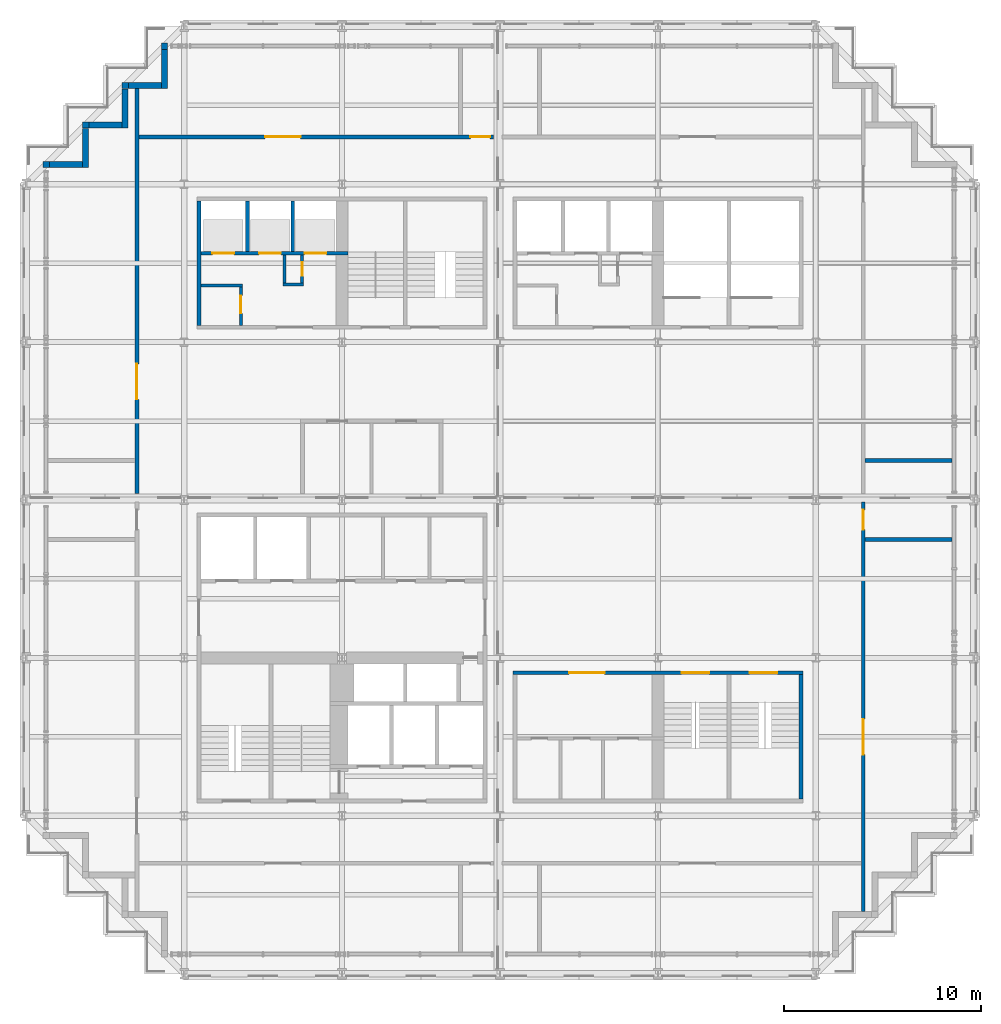
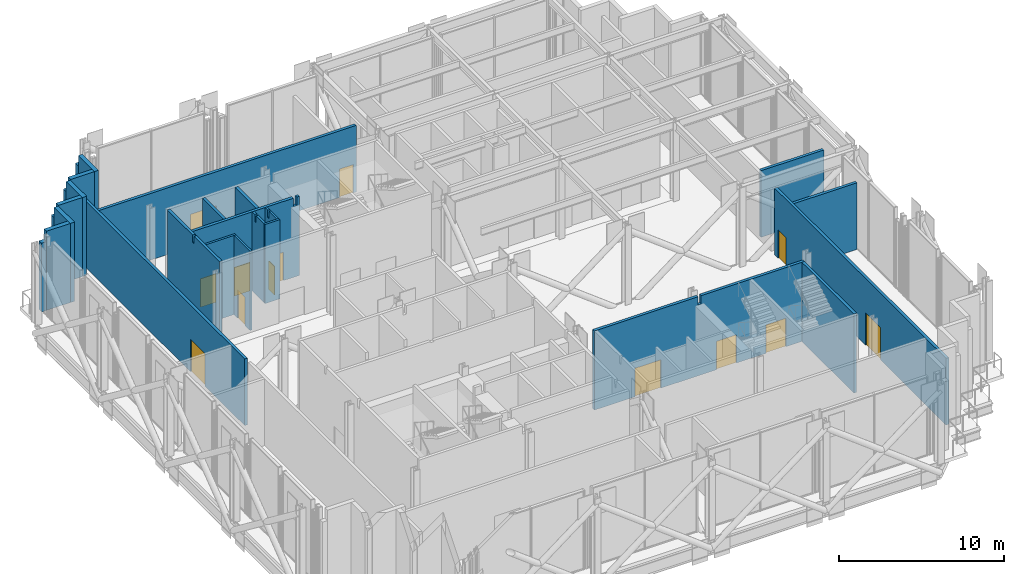
# One storey, part 19 of 25: 26 walls, 13 doors, 13 openings.
"""IFC4 building model written with IfcOpenShell, lengths in metres."""

from ifc_helpers import new_model, si_unit, direction, frame, frame_2d, origin, place, context, subcontext, project, spatial, polyline, rectangle, outline, extrude, material, layer, layer_set, type_object, element, fill, save


model = new_model("IFC4")

# Units and contexts
model_context = context("Model", 3, precision=1e-05, world=origin(), true_north=direction((0.0, 1.0)))
body_context = subcontext(model_context, "Body", "Model", "MODEL_VIEW")
ifc_project = project(units=[si_unit("LENGTHUNIT", "METRE"), si_unit("AREAUNIT", "SQUARE_METRE"), si_unit("VOLUMEUNIT", "CUBIC_METRE"), si_unit("PLANEANGLEUNIT", "RADIAN"), si_unit("MASSUNIT", "GRAM", prefix="KILO")], contexts=[model_context])

# Site, building, storey
site_placement = place(None, origin())
site = spatial("IfcSite", under=ifc_project, at=site_placement, CompositionType="ELEMENT")
building_placement = place(site_placement, origin())
building = spatial("IfcBuilding", under=site, at=building_placement, Name="Immortelle Media Tower", CompositionType="ELEMENT")
storey_placement = place(building_placement, frame((0.0, 0.0, 114.0)))
storey = spatial("IfcBuildingStorey", under=building, at=storey_placement, Name="L22", CompositionType="ELEMENT", Elevation=114.0)

# Wall
ifc_material_1 = material(Name="Fire-rated gypsum board", Category="gypsum")
ifc_layer_1 = layer(ifc_material_1, 0.02490234375)
ifc_material_2 = material(Name="Steel ASTM A653 SS Gr 50 stud frame with mineral wool", Category="steel")
ifc_layer_2 = layer(ifc_material_2, 0.10009765625)
ifc_layer_3 = layer(ifc_material_1, 0.02490234375)
ifc_layer_set_1 = layer_set([ifc_layer_1, ifc_layer_2, ifc_layer_3], Name="Steel ASTM A653 SS Gr 50 stud frame with mineral wool")
wall_type_1 = type_object("IfcWallType", Name="Core partition 150", PredefinedType="PARTITIONING", material=ifc_layer_set_1)
wall_1_placement = place(storey_placement, frame((8.85009765625, 34.875, 0.0), z_axis=(0.0, 0.0, 1.0), x_axis=(1.0, 0.0, 0.0)))
element("IfcWall", 1, at=wall_1_placement, inside=storey, type_object=wall_type_1, Name="Core partition NW", PredefinedType="PARTITIONING", context=body_context, shape_type="SweptSolid", body=[
    extrude(rectangle(XDim=2.099853515625, YDim=0.14990234375, at=frame_2d((1.0498046875, 0.0))), origin(), (0.0, 0.0, 1.0), 5.85009765625),
])

# Wall, opening, door
wall_2_placement = place(storey_placement, frame((10.875, 32.85009765625, 0.0), z_axis=(0.0, 0.0, 1.0), x_axis=(0.0, 1.0, 0.0)))
wall_2 = element("IfcWall", 2, at=wall_2_placement, inside=storey, type_object=wall_type_1, Name="Core partition NW", PredefinedType="PARTITIONING", context=body_context, shape_type="SweptSolid", body=[
    extrude(rectangle(XDim=1.949951171875, YDim=0.14990234375, at=frame_2d((0.97509765625, 0.0))), origin(), (0.0, 0.0, 1.0), 5.85009765625),
])
opening_1_placement = place(wall_2_placement, frame((0.60009765625, 0.0, 0.0)))
opening_1 = element("IfcOpeningElement", 3, at=opening_1_placement, cuts=wall_2, Name="Opening L22-K023", PredefinedType="OPENING", context=body_context, shape_type="SweptSolid", body=[
    extrude(rectangle(XDim=0.89990234375, YDim=2.10009765625, at=frame_2d((0.449951171875, 1.050048828125))), frame((0.0, 0.0849609375, 0.0), z_axis=(0.0, -1.0, 0.0), x_axis=(1.0, 0.0, 0.0)), (0.0, 0.0, 1.0), 0.169921875),
])
ifc_material_3 = material(Name="Galvanised steel door leaf and frame ASTM A653", Category="steel")
door_type_1 = type_object("IfcDoorType", Name="Service door 900 x 2100", OperationType="NOTDEFINED", PredefinedType="NOTDEFINED", material=ifc_material_3)
door_1_placement = place(opening_1_placement, origin())
door_1 = element("IfcDoor", 4, at=door_1_placement, inside=storey, type_object=door_type_1, Name="Service L22-K023", OperationType="SINGLE_SWING_RIGHT", OverallHeight=2.10009765625, OverallWidth=0.89990234375, PredefinedType="NOTDEFINED", context=body_context, shape_type="SweptSolid", body=[
    extrude(rectangle(XDim=0.89990234375, YDim=2.10009765625, at=frame_2d((0.449951171875, 1.050048828125))), frame((0.0, 0.02490234375, 0.0), z_axis=(0.0, -1.0, 0.0), x_axis=(1.0, 0.0, 0.0)), (0.0, 0.0, 1.0), 0.050048828125),
])
fill(opening_1, door_1)

# Walls
wall_3_placement = place(storey_placement, frame((13.0, 34.925048828125, 0.0), z_axis=(0.0, 0.0, 1.0), x_axis=(1.0, 0.0, 0.0)))
element("IfcWall", 5, at=wall_3_placement, inside=storey, type_object=wall_type_1, Name="Core partition NW", PredefinedType="PARTITIONING", context=body_context, shape_type="SweptSolid", body=[
    extrude(rectangle(XDim=1.050048828125, YDim=0.14990234375, at=frame_2d((0.52490234375, 0.0))), origin(), (0.0, 0.0, 1.0), 5.85009765625),
])
wall_4_placement = place(storey_placement, frame((13.074951171875, 35.0, 0.0), z_axis=(0.0, 0.0, 1.0), x_axis=(0.0, 1.0, 0.0)))
element("IfcWall", 6, at=wall_4_placement, inside=storey, type_object=wall_type_1, Name="Core partition NW", PredefinedType="PARTITIONING", context=body_context, shape_type="SweptSolid", body=[
    extrude(outline(polyline([(0.0, 0.0), (1.39990234375, 0.0), (1.39990234375, 5.85009765625), (1.08740234375, 5.85009765625), (1.08642578125, 5.318115234375), (0.91357421875, 5.318115234375), (0.91259765625, 5.85009765625), (0.0, 5.85009765625), (0.0, 0.0)])), frame((0.0, 0.074951171875, 0.0), z_axis=(0.0, -1.0, 0.0), x_axis=(1.0, 0.0, 0.0)), (0.0, 0.0, 1.0), 0.14990234375),
])

# Wall, opening, door
wall_5_placement = place(storey_placement, frame((13.97509765625, 35.0, 0.0), z_axis=(0.0, 0.0, 1.0), x_axis=(0.0, 1.0, 0.0)))
wall_5 = element("IfcWall", 7, at=wall_5_placement, inside=storey, type_object=wall_type_1, Name="Core partition NW", PredefinedType="PARTITIONING", context=body_context, shape_type="SweptSolid", body=[
    extrude(outline(polyline([(0.0, 0.0), (1.39990234375, 0.0), (1.39990234375, 5.85009765625), (1.08740234375, 5.85009765625), (1.08642578125, 5.318115234375), (0.91357421875, 5.318115234375), (0.91259765625, 5.85009765625), (0.0, 5.85009765625), (0.0, 0.0)])), frame((0.0, 0.074951171875, 0.0), z_axis=(0.0, -1.0, 0.0), x_axis=(1.0, 0.0, 0.0)), (0.0, 0.0, 1.0), 0.14990234375),
])
opening_2_placement = place(wall_5_placement, frame((0.35009765625, 0.0, 0.0)))
opening_2 = element("IfcOpeningElement", 8, at=opening_2_placement, cuts=wall_5, Name="Opening L22-K026", PredefinedType="OPENING", context=body_context, shape_type="SweptSolid", body=[
    extrude(rectangle(XDim=0.699951171875, YDim=2.10009765625, at=frame_2d((0.35009765625, 1.050048828125))), frame((0.0, 0.0849609375, 0.0), z_axis=(0.0, -1.0, 0.0), x_axis=(1.0, 0.0, 0.0)), (0.0, 0.0, 1.0), 0.169921875),
])
door_type_2 = type_object("IfcDoorType", Name="Service door 700 x 2100", OperationType="NOTDEFINED", PredefinedType="NOTDEFINED", material=ifc_material_3)
door_2_placement = place(opening_2_placement, origin())
door_2 = element("IfcDoor", 9, at=door_2_placement, inside=storey, type_object=door_type_2, Name="Service L22-K026", OperationType="SINGLE_SWING_LEFT", OverallHeight=2.10009765625, OverallWidth=0.699951171875, PredefinedType="NOTDEFINED", context=body_context, shape_type="SweptSolid", body=[
    extrude(rectangle(XDim=0.699951171875, YDim=2.10009765625, at=frame_2d((0.35009765625, 1.050048828125))), frame((0.0, 0.02490234375, 0.0), z_axis=(0.0, -1.0, 0.0), x_axis=(1.0, 0.0, 0.0)), (0.0, 0.0, 1.0), 0.050048828125),
])
fill(opening_2, door_2)

# Wall
ifc_layer_4 = layer(ifc_material_1, 0.03759765625)
ifc_layer_5 = layer(ifc_material_2, 0.125)
ifc_layer_6 = layer(ifc_material_1, 0.03759765625)
ifc_layer_set_2 = layer_set([ifc_layer_4, ifc_layer_5, ifc_layer_6], Name="Steel ASTM A653 SS Gr 50 stud frame with mineral wool")
wall_type_2 = type_object("IfcWallType", Name="Core shaft wall 200", PredefinedType="PARTITIONING", material=ifc_layer_set_2)
wall_6_placement = place(storey_placement, frame((8.75, 32.85009765625, 0.0), z_axis=(0.0, 0.0, 1.0), x_axis=(0.0, 1.0, 0.0)))
element("IfcWall", 10, at=wall_6_placement, inside=storey, type_object=wall_type_2, Name="Core shaft wall NW", PredefinedType="PARTITIONING", context=body_context, shape_type="SweptSolid", body=[
    extrude(outline(polyline([(0.0, 0.0), (6.2998046875, 0.0), (6.300048828125, 5.85009765625), (3.237548828125, 5.85009765625), (3.236572265625, 5.318115234375), (3.0634765625, 5.318115234375), (3.0625, 5.85009765625), (0.0, 5.85009765625), (0.0, 0.0)])), frame((0.0, 0.10009765625, 0.0), z_axis=(0.0, -1.0, 0.0), x_axis=(1.0, 0.0, 0.0)), (0.0, 0.0, 1.0), 0.199951171875),
])

# Wall, openings, doors
wall_7_placement = place(storey_placement, frame((8.85009765625, 36.5, 0.0), z_axis=(0.0, 0.0, 1.0), x_axis=(1.0, 0.0, 0.0)))
wall_7 = element("IfcWall", 11, at=wall_7_placement, inside=storey, type_object=wall_type_2, Name="Core shaft wall NW", PredefinedType="PARTITIONING", context=body_context, shape_type="SweptSolid", body=[
    extrude(outline(polyline([(0.0, 0.0), (7.449951171875, 0.0), (7.449951171875, 5.85009765625), (7.26953125, 5.85009765625), (7.2685546875, 5.23193359375), (7.031494140625, 5.23193359375), (7.030517578125, 5.85009765625), (0.0, 5.85009765625), (0.0, 0.0)])), frame((0.0, 0.10009765625, 0.0), z_axis=(0.0, -1.0, 0.0), x_axis=(1.0, 0.0, 0.0)), (0.0, 0.0, 1.0), 0.199951171875),
])
opening_3_placement = place(wall_7_placement, frame((0.574951171875, 0.0, 0.0)))
opening_3 = element("IfcOpeningElement", 12, at=opening_3_placement, cuts=wall_7, Name="Opening LD", PredefinedType="OPENING", context=body_context, shape_type="SweptSolid", body=[
    extrude(rectangle(XDim=1.10009765625, YDim=2.10009765625, at=frame_2d((0.550048828125, 1.050048828125))), frame((0.0, 0.10986328125, 0.0), z_axis=(0.0, -1.0, 0.0), x_axis=(1.0, 0.0, 0.0)), (0.0, 0.0, 1.0), 0.219970703125),
])
opening_4_placement = place(wall_7_placement, frame((2.949951171875, 0.0, 0.0)))
opening_4 = element("IfcOpeningElement", 13, at=opening_4_placement, cuts=wall_7, Name="Opening LD", PredefinedType="OPENING", context=body_context, shape_type="SweptSolid", body=[
    extrude(rectangle(XDim=1.10009765625, YDim=2.10009765625, at=frame_2d((0.550048828125, 1.050048828125))), frame((0.0, 0.10986328125, 0.0), z_axis=(0.0, -1.0, 0.0), x_axis=(1.0, 0.0, 0.0)), (0.0, 0.0, 1.0), 0.219970703125),
])
opening_5_placement = place(wall_7_placement, frame((5.25, 0.0, 0.0)))
opening_5 = element("IfcOpeningElement", 14, at=opening_5_placement, cuts=wall_7, Name="Opening LD", PredefinedType="OPENING", context=body_context, shape_type="SweptSolid", body=[
    extrude(rectangle(XDim=1.10009765625, YDim=2.10009765625, at=frame_2d((0.550048828125, 1.050048828125))), frame((0.0, 0.10986328125, 0.0), z_axis=(0.0, -1.0, 0.0), x_axis=(1.0, 0.0, 0.0)), (0.0, 0.0, 1.0), 0.219970703125),
])
ifc_material_4 = material(Name="Stainless steel AISI 304", Category="steel")
door_type_3 = type_object("IfcDoorType", Name="Landing door 1100 x 2100", OperationType="SLIDING_TO_LEFT", PredefinedType="NOTDEFINED", material=ifc_material_4)
door_3_placement = place(opening_3_placement, origin())
door_3 = element("IfcDoor", 15, at=door_3_placement, inside=storey, type_object=door_type_3, Name="Landing door MR1 L22", OperationType="SLIDING_TO_LEFT", OverallHeight=2.10009765625, OverallWidth=1.10009765625, PredefinedType="NOTDEFINED", context=body_context, shape_type="SweptSolid", body=[
    extrude(rectangle(XDim=1.10009765625, YDim=2.10009765625, at=frame_2d((0.550048828125, 1.050048828125))), frame((0.0, 0.02490234375, 0.0), z_axis=(0.0, -1.0, 0.0), x_axis=(1.0, 0.0, 0.0)), (0.0, 0.0, 1.0), 0.050048828125),
])
fill(opening_3, door_3)
door_4_placement = place(opening_4_placement, origin())
door_4 = element("IfcDoor", 16, at=door_4_placement, inside=storey, type_object=door_type_3, Name="Landing door MR2 L22", OperationType="SLIDING_TO_LEFT", OverallHeight=2.10009765625, OverallWidth=1.10009765625, PredefinedType="NOTDEFINED", context=body_context, shape_type="SweptSolid", body=[
    extrude(rectangle(XDim=1.10009765625, YDim=2.10009765625, at=frame_2d((0.550048828125, 1.050048828125))), frame((0.0, 0.02490234375, 0.0), z_axis=(0.0, -1.0, 0.0), x_axis=(1.0, 0.0, 0.0)), (0.0, 0.0, 1.0), 0.050048828125),
])
fill(opening_4, door_4)
door_5_placement = place(opening_5_placement, origin())
door_5 = element("IfcDoor", 17, at=door_5_placement, inside=storey, type_object=door_type_3, Name="Landing door MR3 L22", OperationType="SLIDING_TO_LEFT", OverallHeight=2.10009765625, OverallWidth=1.10009765625, PredefinedType="NOTDEFINED", context=body_context, shape_type="SweptSolid", body=[
    extrude(rectangle(XDim=1.10009765625, YDim=2.10009765625, at=frame_2d((0.550048828125, 1.050048828125))), frame((0.0, 0.02490234375, 0.0), z_axis=(0.0, -1.0, 0.0), x_axis=(1.0, 0.0, 0.0)), (0.0, 0.0, 1.0), 0.050048828125),
])
fill(opening_5, door_5)

# Walls
for number, where, z_axis, x_axis, name in (
    (18, (11.199951171875, 36.60009765625, 0.0), (0.0, 0.0, 1.0), (0.0, 1.0, 0.0), "Core shaft wall NW"),
    (19, (13.5, 36.60009765625, 0.0), (0.0, 0.0, 1.0), (0.0, 1.0, 0.0), "Core shaft wall NW"),
):
    element("IfcWall", number, at=place(storey_placement, frame(where, z_axis=z_axis, x_axis=x_axis)), inside=storey, type_object=wall_type_2, Name=name, PredefinedType="PARTITIONING", context=body_context, shape_type="SweptSolid", body=[
        extrude(rectangle(XDim=2.5498046875, YDim=0.199951171875, at=frame_2d((1.27490234375, 0.0))), origin(), (0.0, 0.0, 1.0), 5.85009765625),
    ])

# Wall, opening, door
ifc_layer_7 = layer(ifc_material_1, 0.03759765625)
ifc_layer_8 = layer(ifc_material_2, 0.125)
ifc_layer_9 = layer(ifc_material_1, 0.03759765625)
ifc_layer_set_3 = layer_set([ifc_layer_7, ifc_layer_8, ifc_layer_9], Name="Steel ASTM A653 SS Gr 50 stud frame with mineral wool")
wall_type_3 = type_object("IfcWallType", Name="Fire-resisting wall 200", PredefinedType="PARTITIONING", material=ifc_layer_set_3)
wall_8_placement = place(storey_placement, frame((5.60009765625, 24.321044921875, 0.0), z_axis=(0.0, 0.0, 1.0), x_axis=(0.0, 1.0, 0.0)))
wall_8 = element("IfcWall", 20, at=wall_8_placement, inside=storey, type_object=wall_type_3, Name="Fire-resisting wall L22-3B", PredefinedType="PARTITIONING", context=body_context, shape_type="SweptSolid", body=[
    extrude(rectangle(XDim=20.529052734375, YDim=0.199951171875, at=frame_2d((10.2646484375, 0.0))), origin(), (0.0, 0.0, 1.0), 4.923095703125),
])
opening_6_placement = place(wall_8_placement, frame((4.779052734375, 0.0, 0.0)))
opening_6 = element("IfcOpeningElement", 21, at=opening_6_placement, cuts=wall_8, Name="Opening L22-X03", PredefinedType="OPENING", context=body_context, shape_type="SweptSolid", body=[
    extrude(rectangle(XDim=1.800048828125, YDim=2.39990234375, at=frame_2d((0.89990234375, 1.199951171875))), frame((0.0, 0.10986328125, 0.0), z_axis=(0.0, -1.0, 0.0), x_axis=(1.0, 0.0, 0.0)), (0.0, 0.0, 1.0), 0.219970703125),
])
door_type_4 = type_object("IfcDoorType", Name="Fire double door 1800 x 2400", OperationType="DOUBLE_DOOR_SINGLE_SWING", PredefinedType="DOOR", material=ifc_material_3)
door_6_placement = place(opening_6_placement, origin())
door_6 = element("IfcDoor", 22, at=door_6_placement, inside=storey, type_object=door_type_4, Name="Door L22-X03", OperationType="DOUBLE_DOOR_SINGLE_SWING", OverallHeight=2.39990234375, OverallWidth=1.800048828125, PredefinedType="DOOR", context=body_context, shape_type="SweptSolid", body=[
    extrude(rectangle(XDim=1.800048828125, YDim=2.39990234375, at=frame_2d((0.89990234375, 1.199951171875))), frame((0.0, 0.02490234375, 0.0), z_axis=(0.0, -1.0, 0.0), x_axis=(1.0, 0.0, 0.0)), (0.0, 0.0, 1.0), 0.050048828125),
])
fill(opening_6, door_6)

# Wall, openings, doors
wall_9_placement = place(storey_placement, frame((5.699951171875, 42.39990234375, 0.0), z_axis=(0.0, 0.0, 1.0), x_axis=(1.0, 0.0, 0.0)))
wall_9 = element("IfcWall", 23, at=wall_9_placement, inside=storey, type_object=wall_type_3, Name="Fire-resisting wall L22-5A", PredefinedType="PARTITIONING", context=body_context, shape_type="SweptSolid", body=[
    extrude(rectangle(XDim=17.97900390625, YDim=0.199951171875, at=frame_2d((8.989501953125, 0.0))), origin(), (0.0, 0.0, 1.0), 4.923095703125),
])
opening_7_placement = place(wall_9_placement, frame((6.39990234375, 0.0, 0.0)))
opening_7 = element("IfcOpeningElement", 24, at=opening_7_placement, cuts=wall_9, Name="Opening L22-X10", PredefinedType="OPENING", context=body_context, shape_type="SweptSolid", body=[
    extrude(rectangle(XDim=1.800048828125, YDim=2.39990234375, at=frame_2d((0.89990234375, 1.199951171875))), frame((0.0, 0.10986328125, 0.0), z_axis=(0.0, -1.0, 0.0), x_axis=(1.0, 0.0, 0.0)), (0.0, 0.0, 1.0), 0.219970703125),
])
opening_8_placement = place(wall_9_placement, frame((17.800048828125, 0.0, 0.0), z_axis=(0.0, 0.0, 1.0), x_axis=(-1.0, 0.0, 0.0)))
opening_8 = element("IfcOpeningElement", 25, at=opening_8_placement, cuts=wall_9, Name="Opening L22-X11", PredefinedType="OPENING", context=body_context, shape_type="SweptSolid", body=[
    extrude(rectangle(XDim=1.0, YDim=2.10009765625, at=frame_2d((0.5, 1.050048828125))), frame((0.0, 0.10986328125, 0.0), z_axis=(0.0, -1.0, 0.0), x_axis=(1.0, 0.0, 0.0)), (0.0, 0.0, 1.0), 0.219970703125),
])
door_type_5 = type_object("IfcDoorType", Name="Fire door 1000 x 2100", OperationType="NOTDEFINED", PredefinedType="DOOR", material=ifc_material_3)
door_7_placement = place(opening_8_placement, origin())
door_7 = element("IfcDoor", 26, at=door_7_placement, inside=storey, type_object=door_type_5, Name="Door L22-X11", OperationType="SINGLE_SWING_RIGHT", OverallHeight=2.10009765625, OverallWidth=1.0, PredefinedType="DOOR", context=body_context, shape_type="SweptSolid", body=[
    extrude(rectangle(XDim=1.0, YDim=2.10009765625, at=frame_2d((0.5, 1.050048828125))), frame((0.0, 0.02490234375, 0.0), z_axis=(0.0, -1.0, 0.0), x_axis=(1.0, 0.0, 0.0)), (0.0, 0.0, 1.0), 0.050048828125),
])
fill(opening_8, door_7)
door_8_placement = place(opening_7_placement, origin())
door_8 = element("IfcDoor", 27, at=door_8_placement, inside=storey, type_object=door_type_4, Name="Door L22-X10", OperationType="DOUBLE_DOOR_SINGLE_SWING", OverallHeight=2.39990234375, OverallWidth=1.800048828125, PredefinedType="DOOR", context=body_context, shape_type="SweptSolid", body=[
    extrude(rectangle(XDim=1.800048828125, YDim=2.39990234375, at=frame_2d((0.89990234375, 1.199951171875))), frame((0.0, 0.02490234375, 0.0), z_axis=(0.0, -1.0, 0.0), x_axis=(1.0, 0.0, 0.0)), (0.0, 0.0, 1.0), 0.050048828125),
])
fill(opening_7, door_8)

wall_10_placement = place(storey_placement, frame((42.39990234375, 3.14990234375, 0.0), z_axis=(0.0, 0.0, 1.0), x_axis=(0.0, 1.0, 0.0)))
wall_10 = element("IfcWall", 28, at=wall_10_placement, inside=storey, type_object=wall_type_3, Name="Fire-resisting wall L22-15A", PredefinedType="PARTITIONING", context=body_context, shape_type="SweptSolid", body=[
    extrude(rectangle(XDim=20.755126953125, YDim=0.199951171875, at=frame_2d((10.37744140625, 0.0))), origin(), (0.0, 0.0, 1.0), 4.923095703125),
])
opening_9_placement = place(wall_10_placement, frame((7.949951171875, 0.0, 0.0)))
opening_9 = element("IfcOpeningElement", 29, at=opening_9_placement, cuts=wall_10, Name="Opening L22-X07", PredefinedType="OPENING", context=body_context, shape_type="SweptSolid", body=[
    extrude(rectangle(XDim=1.800048828125, YDim=2.39990234375, at=frame_2d((0.89990234375, 1.199951171875))), frame((0.0, 0.10986328125, 0.0), z_axis=(0.0, -1.0, 0.0), x_axis=(1.0, 0.0, 0.0)), (0.0, 0.0, 1.0), 0.219970703125),
])
opening_10_placement = place(wall_10_placement, frame((19.35009765625, 0.0, 0.0)))
opening_10 = element("IfcOpeningElement", 30, at=opening_10_placement, cuts=wall_10, Name="Opening L22-X08", PredefinedType="OPENING", context=body_context, shape_type="SweptSolid", body=[
    extrude(rectangle(XDim=1.0, YDim=2.10009765625, at=frame_2d((0.5, 1.050048828125))), frame((0.0, 0.10986328125, 0.0), z_axis=(0.0, -1.0, 0.0), x_axis=(1.0, 0.0, 0.0)), (0.0, 0.0, 1.0), 0.219970703125),
])
door_9_placement = place(opening_10_placement, origin())
door_9 = element("IfcDoor", 31, at=door_9_placement, inside=storey, type_object=door_type_5, Name="Door L22-X08", OperationType="SINGLE_SWING_LEFT", OverallHeight=2.10009765625, OverallWidth=1.0, PredefinedType="DOOR", context=body_context, shape_type="SweptSolid", body=[
    extrude(rectangle(XDim=1.0, YDim=2.10009765625, at=frame_2d((0.5, 1.050048828125))), frame((0.0, 0.02490234375, 0.0), z_axis=(0.0, -1.0, 0.0), x_axis=(1.0, 0.0, 0.0)), (0.0, 0.0, 1.0), 0.050048828125),
])
fill(opening_10, door_9)
door_10_placement = place(opening_9_placement, origin())
door_10 = element("IfcDoor", 32, at=door_10_placement, inside=storey, type_object=door_type_4, Name="Door L22-X07", OperationType="DOUBLE_DOOR_SINGLE_SWING", OverallHeight=2.39990234375, OverallWidth=1.800048828125, PredefinedType="DOOR", context=body_context, shape_type="SweptSolid", body=[
    extrude(rectangle(XDim=1.800048828125, YDim=2.39990234375, at=frame_2d((0.89990234375, 1.199951171875))), frame((0.0, 0.02490234375, 0.0), z_axis=(0.0, -1.0, 0.0), x_axis=(1.0, 0.0, 0.0)), (0.0, 0.0, 1.0), 0.050048828125),
])
fill(opening_9, door_10)

# Walls
for number, where, z_axis, x_axis, name in (
    (33, (42.5, 22.0, 0.0), (0.0, 0.0, 1.0), (1.0, 0.0, 0.0), "Fire-resisting wall L22-16"),
    (34, (42.5, 26.0, 0.0), (0.0, 0.0, 1.0), (1.0, 0.0, 0.0), "Fire-resisting wall L22-17"),
):
    element("IfcWall", number, at=place(storey_placement, frame(where, z_axis=z_axis, x_axis=x_axis)), inside=storey, type_object=wall_type_3, Name=name, PredefinedType="PARTITIONING", context=body_context, shape_type="SweptSolid", body=[
        extrude(rectangle(XDim=4.39501953125, YDim=0.199951171875, at=frame_2d((2.197509765625, 0.0))), origin(), (0.0, 0.0, 1.0), 4.923095703125),
    ])
ifc_material_5 = material(Name="Pale aluminium cladding panel", Category="aluminium")
ifc_layer_10 = layer(ifc_material_5, 0.030029296875)
ifc_layer_11 = layer(ifc_material_2, 0.257568359375)
ifc_material_6 = material(Name="Moisture-resistant gypsum board", Category="gypsum")
ifc_layer_12 = layer(ifc_material_6, 0.012451171875)
ifc_layer_set_4 = layer_set([ifc_layer_10, ifc_layer_11, ifc_layer_12], Name="Steel ASTM A653 SS Gr 50 stud frame with mineral wool")
wall_type_4 = type_object("IfcWallType", Name="Pale metal clad wall 300", PredefinedType="STANDARD", material=ifc_layer_set_4)
wall_11_placement = place(storey_placement, frame((7.0, 47.14990234375, 0.0), z_axis=(0.0, 0.0, 1.0), x_axis=(0.0, -1.0, 0.0)))
element("IfcWall", 35, at=wall_11_placement, inside=storey, type_object=wall_type_4, Name="Plant corner wall L22 W 22-1", PredefinedType="STANDARD", context=body_context, shape_type="SweptSolid", body=[
    extrude(rectangle(XDim=0.338623046875, YDim=0.300048828125, at=frame_2d((0.16943359375, 0.0))), origin(), (0.0, 0.0, 1.0), 5.08740234375),
])
wall_12_placement = place(storey_placement, frame((7.0, 46.811279296875, 0.0), z_axis=(0.0, 0.0, 1.0), x_axis=(0.0, -1.0, 0.0)))
element("IfcWall", 36, at=wall_12_placement, inside=storey, type_object=wall_type_4, Name="Plant corner wall L22 W 22-2", PredefinedType="STANDARD", context=body_context, shape_type="SweptSolid", body=[
    extrude(rectangle(XDim=1.961181640625, YDim=0.300048828125, at=frame_2d((0.98046875, 0.0))), origin(), (0.0, 0.0, 1.0), 5.849609375),
])
wall_13_placement = place(storey_placement, frame((6.85009765625, 45.0, 0.0), z_axis=(0.0, 0.0, 1.0), x_axis=(-1.0, 0.0, 0.0)))
element("IfcWall", 37, at=wall_13_placement, inside=storey, type_object=wall_type_4, Name="Plant corner wall L22 N 23-1", PredefinedType="STANDARD", context=body_context, shape_type="SweptSolid", body=[
    extrude(rectangle(XDim=1.661376953125, YDim=0.300048828125, at=frame_2d((0.83056640625, 0.0))), origin(), (0.0, 0.0, 1.0), 5.849609375),
])
wall_14_placement = place(storey_placement, frame((5.188720703125, 45.0, 0.0), z_axis=(0.0, 0.0, 1.0), x_axis=(-1.0, 0.0, 0.0)))
element("IfcWall", 38, at=wall_14_placement, inside=storey, type_object=wall_type_4, Name="Plant corner wall L22 N 23-2", PredefinedType="STANDARD", context=body_context, shape_type="SweptSolid", body=[
    extrude(rectangle(XDim=0.338623046875, YDim=0.300048828125, at=frame_2d((0.16943359375, 0.0))), origin(), (0.0, 0.0, 1.0), 5.08740234375),
])
wall_15_placement = place(storey_placement, frame((5.0, 44.811279296875, 0.0), z_axis=(0.0, 0.0, 1.0), x_axis=(0.0, -1.0, 0.0)))
element("IfcWall", 39, at=wall_15_placement, inside=storey, type_object=wall_type_4, Name="Plant corner wall L22 W 24-2", PredefinedType="STANDARD", context=body_context, shape_type="SweptSolid", body=[
    extrude(rectangle(XDim=1.961181640625, YDim=0.300048828125, at=frame_2d((0.98046875, 0.0))), origin(), (0.0, 0.0, 1.0), 5.849609375),
])
wall_16_placement = place(storey_placement, frame((4.85009765625, 43.0, 0.0), z_axis=(0.0, 0.0, 1.0), x_axis=(-1.0, 0.0, 0.0)))
element("IfcWall", 40, at=wall_16_placement, inside=storey, type_object=wall_type_4, Name="Plant corner wall L22 N 25-1", PredefinedType="STANDARD", context=body_context, shape_type="SweptSolid", body=[
    extrude(rectangle(XDim=1.661376953125, YDim=0.300048828125, at=frame_2d((0.83056640625, 0.0))), origin(), (0.0, 0.0, 1.0), 5.849609375),
])
wall_17_placement = place(storey_placement, frame((3.188720703125, 43.0, 0.0), z_axis=(0.0, 0.0, 1.0), x_axis=(-1.0, 0.0, 0.0)))
element("IfcWall", 41, at=wall_17_placement, inside=storey, type_object=wall_type_4, Name="Plant corner wall L22 N 25-2", PredefinedType="STANDARD", context=body_context, shape_type="SweptSolid", body=[
    extrude(rectangle(XDim=0.338623046875, YDim=0.300048828125, at=frame_2d((0.16943359375, 0.0))), origin(), (0.0, 0.0, 1.0), 5.08740234375),
])
wall_18_placement = place(storey_placement, frame((3.0, 42.811279296875, 0.0), z_axis=(0.0, 0.0, 1.0), x_axis=(0.0, -1.0, 0.0)))
element("IfcWall", 42, at=wall_18_placement, inside=storey, type_object=wall_type_4, Name="Plant corner wall L22 W 26-2", PredefinedType="STANDARD", context=body_context, shape_type="SweptSolid", body=[
    extrude(rectangle(XDim=1.961181640625, YDim=0.300048828125, at=frame_2d((0.98046875, 0.0))), origin(), (0.0, 0.0, 1.0), 5.849609375),
])
wall_19_placement = place(storey_placement, frame((2.85009765625, 41.0, 0.0), z_axis=(0.0, 0.0, 1.0), x_axis=(-1.0, 0.0, 0.0)))
element("IfcWall", 43, at=wall_19_placement, inside=storey, type_object=wall_type_4, Name="Plant corner wall L22 N 27-1", PredefinedType="STANDARD", context=body_context, shape_type="SweptSolid", body=[
    extrude(rectangle(XDim=1.661376953125, YDim=0.300048828125, at=frame_2d((0.83056640625, 0.0))), origin(), (0.0, 0.0, 1.0), 5.849609375),
])
wall_20_placement = place(storey_placement, frame((1.188720703125, 41.0, 0.0), z_axis=(0.0, 0.0, 1.0), x_axis=(-1.0, 0.0, 0.0)))
element("IfcWall", 44, at=wall_20_placement, inside=storey, type_object=wall_type_4, Name="Plant corner wall L22 N 27-2", PredefinedType="STANDARD", context=body_context, shape_type="SweptSolid", body=[
    extrude(rectangle(XDim=0.338623046875, YDim=0.300048828125, at=frame_2d((0.16943359375, 0.0))), origin(), (0.0, 0.0, 1.0), 5.08740234375),
])

# Wall, openings, doors
ifc_material_7 = material(Name="Concrete C60", Category="concrete")
ifc_layer_13 = layer(ifc_material_7, 0.199951171875)
ifc_layer_set_5 = layer_set([ifc_layer_13], Name="Concrete C60")
wall_type_5 = type_object("IfcWallType", Name="Stair shaft wall 200", PredefinedType="PARTITIONING", material=ifc_layer_set_5)
wall_21_placement = place(storey_placement, frame((24.64990234375, 15.25, 0.0), z_axis=(0.0, 0.0, 1.0), x_axis=(1.0, 0.0, 0.0)))
wall_21 = element("IfcWall", 45, at=wall_21_placement, inside=storey, type_object=wall_type_5, Name="Stair shaft wall SE", PredefinedType="PARTITIONING", context=body_context, shape_type="SweptSolid", body=[
    extrude(outline(polyline([(0.0, 0.0), (14.7001953125, 0.0), (14.699951171875, 5.85009765625), (7.469482421875, 5.85009765625), (7.468505859375, 5.23193359375), (7.2314453125, 5.23193359375), (7.23046875, 5.85009765625), (0.0, 5.85009765625), (0.0, 0.0)])), frame((0.0, 0.10009765625, 0.0), z_axis=(0.0, -1.0, 0.0), x_axis=(1.0, 0.0, 0.0)), (0.0, 0.0, 1.0), 0.199951171875),
])
opening_11_placement = place(wall_21_placement, frame((2.85009765625, 0.0, 0.0)))
opening_11 = element("IfcOpeningElement", 46, at=opening_11_placement, cuts=wall_21, Name="Opening L22-K018", PredefinedType="OPENING", context=body_context, shape_type="SweptSolid", body=[
    extrude(rectangle(XDim=1.800048828125, YDim=2.10009765625, at=frame_2d((0.89990234375, 1.050048828125))), frame((0.0, 0.10986328125, 0.0), z_axis=(0.0, -1.0, 0.0), x_axis=(1.0, 0.0, 0.0)), (0.0, 0.0, 1.0), 0.219970703125),
])
opening_12_placement = place(wall_21_placement, frame((9.949951171875, 0.0, 0.0), z_axis=(0.0, 0.0, 1.0), x_axis=(-1.0, 0.0, 0.0)))
opening_12 = element("IfcOpeningElement", 47, at=opening_12_placement, cuts=wall_21, Name="Opening L22-K020", PredefinedType="OPENING", context=body_context, shape_type="SweptSolid", body=[
    extrude(rectangle(XDim=1.39990234375, YDim=2.10009765625, at=frame_2d((0.699951171875, 1.050048828125))), frame((0.0, 0.10986328125, 0.0), z_axis=(0.0, -1.0, 0.0), x_axis=(1.0, 0.0, 0.0)), (0.0, 0.0, 1.0), 0.219970703125),
])
opening_13_placement = place(wall_21_placement, frame((13.39990234375, 0.0, 0.0), z_axis=(0.0, 0.0, 1.0), x_axis=(-1.0, 0.0, 0.0)))
opening_13 = element("IfcOpeningElement", 48, at=opening_13_placement, cuts=wall_21, Name="Opening L22-K021", PredefinedType="OPENING", context=body_context, shape_type="SweptSolid", body=[
    extrude(rectangle(XDim=1.39990234375, YDim=2.10009765625, at=frame_2d((0.699951171875, 1.050048828125))), frame((0.0, 0.10986328125, 0.0), z_axis=(0.0, -1.0, 0.0), x_axis=(1.0, 0.0, 0.0)), (0.0, 0.0, 1.0), 0.219970703125),
])
door_type_6 = type_object("IfcDoorType", Name="Lift lobby door 1800 x 2100", OperationType="DOUBLE_DOOR_SINGLE_SWING", PredefinedType="NOTDEFINED", material=ifc_material_3)
door_11_placement = place(opening_11_placement, origin())
door_11 = element("IfcDoor", 49, at=door_11_placement, inside=storey, type_object=door_type_6, Name="Lift lobby L22-K018", OperationType="DOUBLE_DOOR_SINGLE_SWING", OverallHeight=2.10009765625, OverallWidth=1.800048828125, PredefinedType="NOTDEFINED", context=body_context, shape_type="SweptSolid", body=[
    extrude(rectangle(XDim=1.800048828125, YDim=2.10009765625, at=frame_2d((0.89990234375, 1.050048828125))), frame((0.0, 0.02490234375, 0.0), z_axis=(0.0, -1.0, 0.0), x_axis=(1.0, 0.0, 0.0)), (0.0, 0.0, 1.0), 0.050048828125),
])
fill(opening_11, door_11)
door_type_7 = type_object("IfcDoorType", Name="Stair door 1400 x 2100", OperationType="DOUBLE_DOOR_SINGLE_SWING", PredefinedType="NOTDEFINED", material=ifc_material_3)
door_12_placement = place(opening_12_placement, origin())
door_12 = element("IfcDoor", 50, at=door_12_placement, inside=storey, type_object=door_type_7, Name="Stair L22-K020", OperationType="DOUBLE_DOOR_SINGLE_SWING", OverallHeight=2.10009765625, OverallWidth=1.39990234375, PredefinedType="NOTDEFINED", context=body_context, shape_type="SweptSolid", body=[
    extrude(rectangle(XDim=1.39990234375, YDim=2.10009765625, at=frame_2d((0.699951171875, 1.050048828125))), frame((0.0, 0.02490234375, 0.0), z_axis=(0.0, -1.0, 0.0), x_axis=(1.0, 0.0, 0.0)), (0.0, 0.0, 1.0), 0.050048828125),
])
fill(opening_12, door_12)
door_13_placement = place(opening_13_placement, origin())
door_13 = element("IfcDoor", 51, at=door_13_placement, inside=storey, type_object=door_type_7, Name="Stair L22-K021", OperationType="DOUBLE_DOOR_SINGLE_SWING", OverallHeight=2.10009765625, OverallWidth=1.39990234375, PredefinedType="NOTDEFINED", context=body_context, shape_type="SweptSolid", body=[
    extrude(rectangle(XDim=1.39990234375, YDim=2.10009765625, at=frame_2d((0.699951171875, 1.050048828125))), frame((0.0, 0.02490234375, 0.0), z_axis=(0.0, -1.0, 0.0), x_axis=(1.0, 0.0, 0.0)), (0.0, 0.0, 1.0), 0.050048828125),
])
fill(opening_13, door_13)

# Wall
wall_22_placement = place(storey_placement, frame((39.25, 8.85009765625, 0.0), z_axis=(0.0, 0.0, 1.0), x_axis=(0.0, 1.0, 0.0)))
element("IfcWall", 52, at=wall_22_placement, inside=storey, type_object=wall_type_5, Name="Stair shaft wall SE", PredefinedType="PARTITIONING", context=body_context, shape_type="SweptSolid", body=[
    extrude(rectangle(XDim=6.2998046875, YDim=0.199951171875, at=frame_2d((3.14990234375, 0.0))), origin(), (0.0, 0.0, 1.0), 5.85009765625),
])

save(model, "model.ifc")
